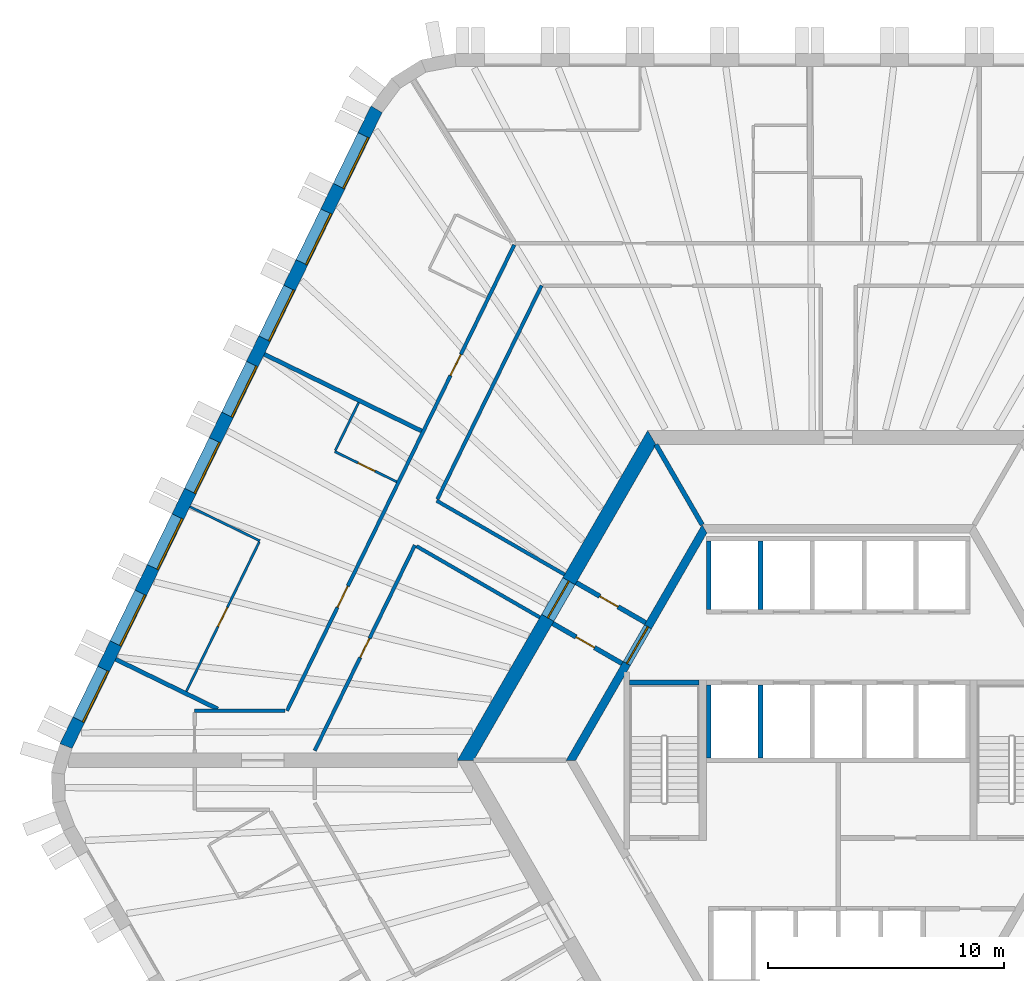
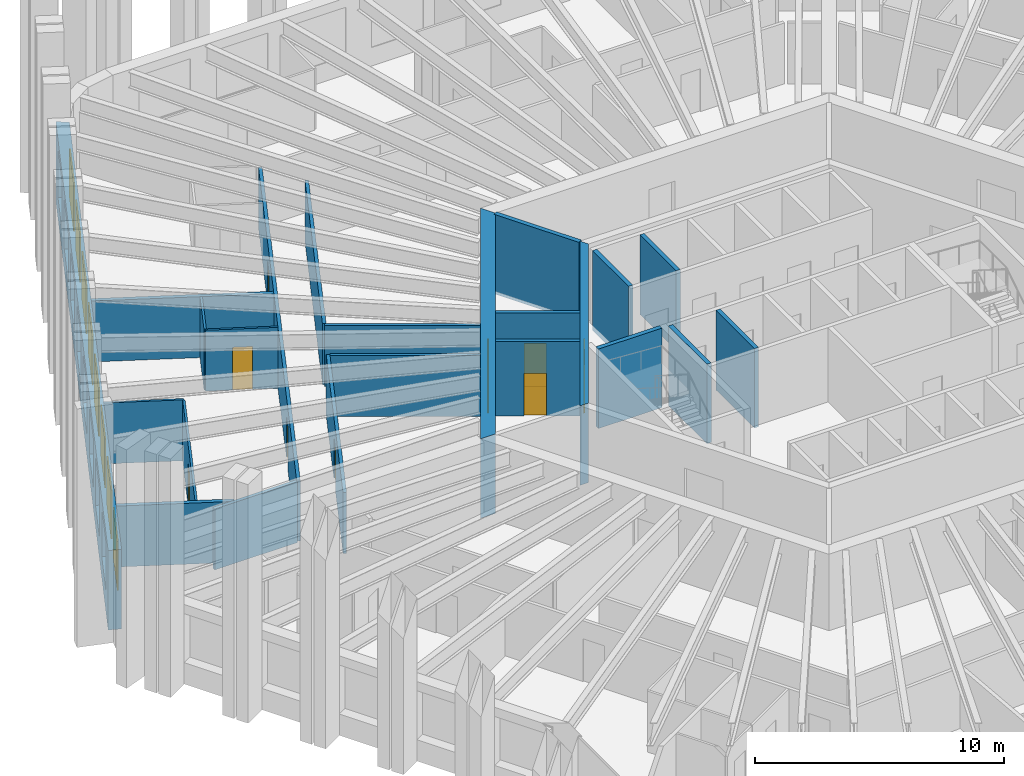
# One storey, part 7 of 13: 23 walls, 9 doors, 8 windows, 17 openings.
"""IFC4 building model written with IfcOpenShell, lengths in metres."""

from ifc_helpers import new_model, si_unit, direction, frame, frame_2d, origin, place, context, subcontext, project, spatial, polyline, rectangle, outline, extrude, material, layer, layer_set, type_object, element, fill, save


model = new_model("IFC4")

# Units and contexts
model_context = context("Model", 3, precision=1e-05, world=origin(), true_north=direction((0.0, 1.0)))
body_context = subcontext(model_context, "Body", "Model", "MODEL_VIEW")
ifc_project = project(units=[si_unit("LENGTHUNIT", "METRE"), si_unit("AREAUNIT", "SQUARE_METRE"), si_unit("VOLUMEUNIT", "CUBIC_METRE"), si_unit("PLANEANGLEUNIT", "RADIAN"), si_unit("MASSUNIT", "GRAM", prefix="KILO")], contexts=[model_context])

# Site, building, storey
site_placement = place(None, origin())
site = spatial("IfcSite", under=ifc_project, at=site_placement, CompositionType="ELEMENT")
building_placement = place(site_placement, origin())
building = spatial("IfcBuilding", under=site, at=building_placement, Name="Tarnside Tower", CompositionType="ELEMENT")
storey_placement = place(building_placement, frame((0.0, 0.0, 111.60009765625)))
storey = spatial("IfcBuildingStorey", under=building, at=storey_placement, Name="L25", CompositionType="ELEMENT", Elevation=111.60009765625)

# Wall, opening, door
ifc_material_1 = material(Name="Gypsum board partition on steel studs", Category="steel")
ifc_layer_1 = layer(ifc_material_1, 0.10009765625)
ifc_layer_set_1 = layer_set([ifc_layer_1], Name="Bathroom wall 100")
wall_type_1 = type_object("IfcWallType", Name="Bathroom wall 100", PredefinedType="PARTITIONING", material=ifc_layer_set_1)
wall_1_placement = place(storey_placement, frame((-18.739013671875, 11.822265625, 0.0), z_axis=(0.0, 0.0, 1.0), x_axis=(-0.898790906006, 0.438377585285, 0.0)))
wall_1 = element("IfcWall", 1, at=wall_1_placement, inside=storey, type_object=wall_type_1, Name="Bathroom wall 08094", PredefinedType="PARTITIONING", context=body_context, shape_type="SweptSolid", body=[
    extrude(rectangle(XDim=2.925048828125, YDim=0.10009765625, at=frame_2d((1.46240234375, 0.0))), origin(), (0.0, 0.0, 1.0), 2.98779296875),
])
opening_1_placement = place(wall_1_placement, frame((1.02490234375, 0.0, 0.0)))
opening_1 = element("IfcOpeningElement", 2, at=opening_1_placement, cuts=wall_1, Name="Opening D-B1", PredefinedType="OPENING", context=body_context, shape_type="SweptSolid", body=[
    extrude(rectangle(XDim=0.800048828125, YDim=2.10009765625, at=frame_2d((0.39990234375, 1.050048828125))), frame((0.0, 0.06005859375, 0.0), z_axis=(0.0, -1.0, 0.0), x_axis=(1.0, 0.0, 0.0)), (0.0, 0.0, 1.0), 0.1201171875),
])
ifc_material_2 = material(Name="Timber door leaf", Category="wood")
door_type_1 = type_object("IfcDoorType", Name="Bathroom door 800", OperationType="NOTDEFINED", PredefinedType="DOOR", material=ifc_material_2)
door_1_placement = place(opening_1_placement, origin())
door_1 = element("IfcDoor", 3, at=door_1_placement, inside=storey, type_object=door_type_1, Name="Bathroom door 08012", OperationType="SINGLE_SWING_RIGHT", OverallHeight=2.10009765625, OverallWidth=0.800048828125, PredefinedType="DOOR", context=body_context, shape_type="SweptSolid", body=[
    extrude(rectangle(XDim=0.800048828125, YDim=2.10009765625, at=frame_2d((0.39990234375, 1.050048828125))), frame((0.0, 0.02490234375, 0.0), z_axis=(0.0, -1.0, 0.0), x_axis=(1.0, 0.0, 0.0)), (0.0, 0.0, 1.0), 0.050048828125),
])
fill(opening_1, door_1)

# Wall
wall_2_placement = place(storey_placement, frame((-21.345947265625, 13.1494140625, 0.0), z_axis=(0.0, 0.0, 1.0), x_axis=(0.438376807268, 0.898791285477, 0.0)))
element("IfcWall", 4, at=wall_2_placement, inside=storey, type_object=wall_type_1, Name="Bathroom wall 08095", PredefinedType="PARTITIONING", context=body_context, shape_type="SweptSolid", body=[
    extrude(rectangle(XDim=2.260009765625, YDim=0.10009765625, at=frame_2d((1.1298828125, 0.0))), origin(), (0.0, 0.0, 1.0), 2.98779296875),
])

# Wall, opening, door
ifc_material_3 = material(Name="Concrete C50/60", Category="concrete")
ifc_layer_2 = layer(ifc_material_3, 0.35009765625)
ifc_layer_set_2 = layer_set([ifc_layer_2], Name="Core block wall 350 C50/60")
wall_type_2 = type_object("IfcWallType", Name="Core block wall 350 C50/60", PredefinedType="SHEAR", material=ifc_layer_set_2)
wall_3_placement = place(storey_placement, frame((-5.672607421875, 9.824951171875, -0.150146484375), z_axis=(0.0, 0.0, 1.0), x_axis=(-0.499995046907, -0.866028263435, 0.0)))
wall_3 = element("IfcWall", 5, at=wall_3_placement, inside=storey, type_object=wall_type_2, Name="L25 core block wall face 2", PredefinedType="SHEAR", context=body_context, shape_type="SweptSolid", body=[
    extrude(outline(polyline([(-0.10107421875, -0.175048828125), (11.44580078125, -0.175048828125), (11.24365234375, 0.175048828125), (0.10107421875, 0.175048828125), (-0.10107421875, -0.175048828125)])), origin(), (0.0, 0.0, 1.0), 3.900146484375),
])
opening_2_placement = place(wall_3_placement, frame((4.80126953125, 0.0, 0.14990234375)))
opening_2 = element("IfcOpeningElement", 6, at=opening_2_placement, cuts=wall_3, Name="Opening CD-LOB", PredefinedType="OPENING", context=body_context, shape_type="SweptSolid", body=[
    extrude(rectangle(XDim=1.800048828125, YDim=2.39990234375, at=frame_2d((0.89990234375, 1.199951171875))), frame((0.0, 0.18505859375, 0.0), z_axis=(0.0, -1.0, 0.0), x_axis=(1.0, 0.0, 0.0)), (0.0, 0.0, 1.0), 0.3701171875),
])
ifc_material_4 = material(Name="Steel fire door", Category="steel")
door_type_2 = type_object("IfcDoorType", Name="Lobby double door FD30S 1800x2400", OperationType="NOTDEFINED", PredefinedType="DOOR", material=ifc_material_4)
door_2_placement = place(opening_2_placement, origin())
door_2 = element("IfcDoor", 7, at=door_2_placement, inside=storey, type_object=door_type_2, Name="L25 lobby block door P1", OperationType="DOUBLE_DOOR_SINGLE_SWING", OverallHeight=2.39990234375, OverallWidth=1.800048828125, PredefinedType="DOOR", context=body_context, shape_type="SweptSolid", body=[
    extrude(rectangle(XDim=1.800048828125, YDim=2.39990234375, at=frame_2d((0.89990234375, 1.199951171875))), frame((0.0, 0.02490234375, 0.0), z_axis=(0.0, -1.0, 0.0), x_axis=(1.0, 0.0, 0.0)), (0.0, 0.0, 1.0), 0.050048828125),
])
fill(opening_2, door_2)

ifc_material_5 = material(Name="Concrete C40/50", Category="concrete")
ifc_layer_3 = layer(ifc_material_5, 0.199951171875)
ifc_layer_set_3 = layer_set([ifc_layer_3], Name="Core room partition 200 C40/50")
wall_type_3 = type_object("IfcWallType", Name="Core room partition 200 C40/50", PredefinedType="PARTITIONING", material=ifc_layer_set_3)
wall_4_placement = place(storey_placement, frame((-9.1748046875, 4.10888671875, 0.0), z_axis=(0.0, 0.0, 1.0), x_axis=(-0.865989465428, 0.500062241894, 0.0)))
wall_4 = element("IfcWall", 8, at=wall_4_placement, inside=storey, type_object=wall_type_3, Name="L25 core partition AC1L", PredefinedType="PARTITIONING", context=body_context, shape_type="SweptSolid", body=[
    extrude(rectangle(XDim=3.39990234375, YDim=0.199951171875, at=frame_2d((1.699951171875, 0.0))), origin(), (0.0, 0.0, 1.0), 3.64990234375),
])
opening_3_placement = place(wall_4_placement, frame((1.3505859375, 0.0, 0.0)))
opening_3 = element("IfcOpeningElement", 9, at=opening_3_placement, cuts=wall_4, Name="Opening CD-room", PredefinedType="OPENING", context=body_context, shape_type="SweptSolid", body=[
    extrude(rectangle(XDim=0.89990234375, YDim=2.10009765625, at=frame_2d((0.449951171875, 1.050048828125))), frame((0.0, 0.10986328125, 0.0), z_axis=(0.0, -1.0, 0.0), x_axis=(1.0, 0.0, 0.0)), (0.0, 0.0, 1.0), 0.219970703125),
])
door_type_3 = type_object("IfcDoorType", Name="Room door FD60 900x2100", OperationType="NOTDEFINED", PredefinedType="DOOR", material=ifc_material_4)
door_3_placement = place(opening_3_placement, origin())
door_3 = element("IfcDoor", 10, at=door_3_placement, inside=storey, type_object=door_type_3, Name="L25 core room door AX1L", OperationType="SINGLE_SWING_LEFT", OverallHeight=2.10009765625, OverallWidth=0.89990234375, PredefinedType="DOOR", context=body_context, shape_type="SweptSolid", body=[
    extrude(rectangle(XDim=0.89990234375, YDim=2.10009765625, at=frame_2d((0.449951171875, 1.050048828125))), frame((0.0, 0.02490234375, 0.0), z_axis=(0.0, -1.0, 0.0), x_axis=(1.0, 0.0, 0.0)), (0.0, 0.0, 1.0), 0.050048828125),
])
fill(opening_3, door_3)

wall_5_placement = place(storey_placement, frame((-8.1748046875, 5.841064453125, 0.0), z_axis=(0.0, 0.0, 1.0), x_axis=(-0.866020560687, 0.500008388397, 0.0)))
wall_5 = element("IfcWall", 11, at=wall_5_placement, inside=storey, type_object=wall_type_3, Name="L25 core partition AC1R", PredefinedType="PARTITIONING", context=body_context, shape_type="SweptSolid", body=[
    extrude(rectangle(XDim=3.39990234375, YDim=0.199951171875, at=frame_2d((1.699951171875, 0.0))), origin(), (0.0, 0.0, 1.0), 3.64990234375),
])
opening_4_placement = place(wall_5_placement, frame((1.349609375, 0.0, 0.0)))
opening_4 = element("IfcOpeningElement", 12, at=opening_4_placement, cuts=wall_5, Name="Opening CD-room", PredefinedType="OPENING", context=body_context, shape_type="SweptSolid", body=[
    extrude(rectangle(XDim=0.89990234375, YDim=2.10009765625, at=frame_2d((0.449951171875, 1.050048828125))), frame((0.0, 0.10986328125, 0.0), z_axis=(0.0, -1.0, 0.0), x_axis=(1.0, 0.0, 0.0)), (0.0, 0.0, 1.0), 0.219970703125),
])
door_4_placement = place(opening_4_placement, origin())
door_4 = element("IfcDoor", 13, at=door_4_placement, inside=storey, type_object=door_type_3, Name="L25 core room door AX1R", OperationType="SINGLE_SWING_LEFT", OverallHeight=2.10009765625, OverallWidth=0.89990234375, PredefinedType="DOOR", context=body_context, shape_type="SweptSolid", body=[
    extrude(rectangle(XDim=0.89990234375, YDim=2.10009765625, at=frame_2d((0.449951171875, 1.050048828125))), frame((0.0, 0.02490234375, 0.0), z_axis=(0.0, -1.0, 0.0), x_axis=(1.0, 0.0, 0.0)), (0.0, 0.0, 1.0), 0.050048828125),
])
fill(opening_4, door_4)

ifc_material_6 = material(Name="Concrete C80/95", Category="concrete")
ifc_layer_4 = layer(ifc_material_6, 0.60009765625)
ifc_layer_set_4 = layer_set([ifc_layer_4], Name="Core wall Z1 600 C80/95")
wall_type_4 = type_object("IfcWallType", Name="Core wall Z1 600 C80/95", PredefinedType="SHEAR", material=ifc_layer_set_4)
wall_6_placement = place(storey_placement, frame((-7.90966796875, 13.699951171875, -0.150146484375), z_axis=(0.0, 0.0, 1.0), x_axis=(-0.499999880136, -0.866025472988, 0.0)))
wall_6 = element("IfcWall", 14, at=wall_6_placement, inside=storey, type_object=wall_type_4, Name="L25 core wall face 2", PredefinedType="SHEAR", context=body_context, shape_type="SweptSolid", body=[
    extrude(outline(polyline([(-0.17333984375, -0.300048828125), (15.99267578125, -0.300048828125), (15.64599609375, 0.300048828125), (0.17333984375, 0.300048828125), (-0.17333984375, -0.300048828125)])), origin(), (0.0, 0.0, 1.0), 3.900146484375),
])
opening_5_placement = place(wall_6_placement, frame((7.03857421875, 0.0, 0.14990234375)))
opening_5 = element("IfcOpeningElement", 15, at=opening_5_placement, cuts=wall_6, Name="Opening CD-LOB", PredefinedType="OPENING", context=body_context, shape_type="SweptSolid", body=[
    extrude(rectangle(XDim=1.800048828125, YDim=2.39990234375, at=frame_2d((0.89990234375, 1.199951171875))), frame((0.0, 0.31005859375, 0.0), z_axis=(0.0, -1.0, 0.0), x_axis=(1.0, 0.0, 0.0)), (0.0, 0.0, 1.0), 0.6201171875),
])
door_5_placement = place(opening_5_placement, origin())
door_5 = element("IfcDoor", 16, at=door_5_placement, inside=storey, type_object=door_type_2, Name="L25 core door P1", OperationType="DOUBLE_DOOR_SINGLE_SWING", OverallHeight=2.39990234375, OverallWidth=1.800048828125, PredefinedType="DOOR", context=body_context, shape_type="SweptSolid", body=[
    extrude(rectangle(XDim=1.800048828125, YDim=2.39990234375, at=frame_2d((0.89990234375, 1.199951171875))), frame((0.0, 0.02490234375, 0.0), z_axis=(0.0, -1.0, 0.0), x_axis=(1.0, 0.0, 0.0)), (0.0, 0.0, 1.0), 0.050048828125),
])
fill(opening_5, door_5)

# Wall, openings, doors
ifc_layer_5 = layer(ifc_material_1, 0.14990234375)
ifc_layer_set_5 = layer_set([ifc_layer_5], Name="Corridor wall 150 EI 60")
wall_type_5 = type_object("IfcWallType", Name="Corridor wall 150 EI 60", PredefinedType="PARTITIONING", material=ifc_layer_set_5)
wall_7_placement = place(storey_placement, frame((-13.75244140625, 21.875, 0.0), z_axis=(0.0, 0.0, 1.0), x_axis=(-0.438376846054, -0.898791266559, 0.0)))
wall_7 = element("IfcWall", 17, at=wall_7_placement, inside=storey, type_object=wall_type_5, Name="Corridor wall 08009", PredefinedType="PARTITIONING", context=body_context, shape_type="SweptSolid", body=[
    extrude(rectangle(XDim=22.001708984375, YDim=0.14990234375, at=frame_2d((11.0009765625, 0.0))), origin(), (0.0, 0.0, 1.0), 2.98779296875),
])
opening_6_placement = place(wall_7_placement, frame((5.1689453125, 0.0, 0.0)))
opening_6 = element("IfcOpeningElement", 18, at=opening_6_placement, cuts=wall_7, Name="Opening D-E1", PredefinedType="OPENING", context=body_context, shape_type="SweptSolid", body=[
    extrude(rectangle(XDim=1.0, YDim=2.10009765625, at=frame_2d((0.5, 1.050048828125))), frame((0.0, 0.0849609375, 0.0), z_axis=(0.0, -1.0, 0.0), x_axis=(1.0, 0.0, 0.0)), (0.0, 0.0, 1.0), 0.169921875),
])
opening_7_placement = place(wall_7_placement, frame((16.111572265625, 0.0, 0.0)))
opening_7 = element("IfcOpeningElement", 19, at=opening_7_placement, cuts=wall_7, Name="Opening D-E1", PredefinedType="OPENING", context=body_context, shape_type="SweptSolid", body=[
    extrude(rectangle(XDim=1.0, YDim=2.10009765625, at=frame_2d((0.5, 1.050048828125))), frame((0.0, 0.0849609375, 0.0), z_axis=(0.0, -1.0, 0.0), x_axis=(1.0, 0.0, 0.0)), (0.0, 0.0, 1.0), 0.169921875),
])
door_type_4 = type_object("IfcDoorType", Name="Unit entrance door 1000 FD30S", OperationType="NOTDEFINED", PredefinedType="DOOR", material=ifc_material_2)
door_6_placement = place(opening_6_placement, origin())
door_6 = element("IfcDoor", 20, at=door_6_placement, inside=storey, type_object=door_type_4, Name="Unit door 08009", OperationType="SINGLE_SWING_LEFT", OverallHeight=2.10009765625, OverallWidth=1.0, PredefinedType="DOOR", context=body_context, shape_type="SweptSolid", body=[
    extrude(rectangle(XDim=1.0, YDim=2.10009765625, at=frame_2d((0.5, 1.050048828125))), frame((0.0, 0.02490234375, 0.0), z_axis=(0.0, -1.0, 0.0), x_axis=(1.0, 0.0, 0.0)), (0.0, 0.0, 1.0), 0.050048828125),
])
fill(opening_6, door_6)
door_7_placement = place(opening_7_placement, origin())
door_7 = element("IfcDoor", 21, at=door_7_placement, inside=storey, type_object=door_type_4, Name="Unit door 08011", OperationType="SINGLE_SWING_LEFT", OverallHeight=2.10009765625, OverallWidth=1.0, PredefinedType="DOOR", context=body_context, shape_type="SweptSolid", body=[
    extrude(rectangle(XDim=1.0, YDim=2.10009765625, at=frame_2d((0.5, 1.050048828125))), frame((0.0, 0.02490234375, 0.0), z_axis=(0.0, -1.0, 0.0), x_axis=(1.0, 0.0, 0.0)), (0.0, 0.0, 1.0), 0.050048828125),
])
fill(opening_7, door_7)

# Walls
wall_8_placement = place(storey_placement, frame((-23.480712890625, 2.10009765625, 0.0), z_axis=(0.0, 0.0, 1.0), x_axis=(-1.0, 0.0, 0.0)))
element("IfcWall", 22, at=wall_8_placement, inside=storey, type_object=wall_type_5, Name="Corridor wall 08012", PredefinedType="PARTITIONING", context=body_context, shape_type="SweptSolid", body=[
    extrude(rectangle(XDim=3.839599609375, YDim=0.14990234375, at=frame_2d((1.919921875, 0.0))), origin(), (0.0, 0.0, 1.0), 2.98779296875),
])
wall_9_placement = place(storey_placement, frame((-11.61376953125, 7.88427734375, 0.0), z_axis=(0.0, 0.0, 1.0), x_axis=(-0.866025438137, 0.4999999405, 0.0)))
element("IfcWall", 23, at=wall_9_placement, inside=storey, type_object=wall_type_5, Name="Corridor wall 08016", PredefinedType="PARTITIONING", context=body_context, shape_type="SweptSolid", body=[
    extrude(rectangle(XDim=6.2705078125, YDim=0.14990234375, at=frame_2d((3.13525390625, 0.0))), origin(), (0.0, 0.0, 1.0), 2.98779296875),
])
wall_10_placement = place(storey_placement, frame((-17.01123046875, 11.087158203125, 0.0), z_axis=(0.0, 0.0, 1.0), x_axis=(0.43836877185, 0.898795204631, 0.0)))
element("IfcWall", 24, at=wall_10_placement, inside=storey, type_object=wall_type_5, Name="Corridor wall 08017", PredefinedType="PARTITIONING", context=body_context, shape_type="SweptSolid", body=[
    extrude(rectangle(XDim=10.083251953125, YDim=0.14990234375, at=frame_2d((5.04150390625, 0.0))), origin(), (0.0, 0.0, 1.0), 2.98779296875),
])

# Wall, opening, door
wall_11_placement = place(storey_placement, frame((-22.218994140625, 0.41015625, 0.0), z_axis=(0.0, 0.0, 1.0), x_axis=(0.438391891827, 0.898783927972, 0.0)))
wall_11 = element("IfcWall", 25, at=wall_11_placement, inside=storey, type_object=wall_type_5, Name="Corridor wall 08023", PredefinedType="PARTITIONING", context=body_context, shape_type="SweptSolid", body=[
    extrude(rectangle(XDim=9.698974609375, YDim=0.14990234375, at=frame_2d((4.849609375, 0.0))), origin(), (0.0, 0.0, 1.0), 2.98779296875),
])
opening_8_placement = place(wall_11_placement, frame((4.399658203125, 0.0, 0.0)))
opening_8 = element("IfcOpeningElement", 26, at=opening_8_placement, cuts=wall_11, Name="Opening D-S1", PredefinedType="OPENING", context=body_context, shape_type="SweptSolid", body=[
    extrude(rectangle(XDim=0.89990234375, YDim=2.10009765625, at=frame_2d((0.449951171875, 1.050048828125))), frame((0.0, 0.0849609375, 0.0), z_axis=(0.0, -1.0, 0.0), x_axis=(1.0, 0.0, 0.0)), (0.0, 0.0, 1.0), 0.169921875),
])
door_type_5 = type_object("IfcDoorType", Name="Service room door 900 FD30S", OperationType="NOTDEFINED", PredefinedType="DOOR", material=ifc_material_2)
door_8_placement = place(opening_8_placement, origin())
door_8 = element("IfcDoor", 27, at=door_8_placement, inside=storey, type_object=door_type_5, Name="Service door 08042", OperationType="SINGLE_SWING_LEFT", OverallHeight=2.10009765625, OverallWidth=0.89990234375, PredefinedType="DOOR", context=body_context, shape_type="SweptSolid", body=[
    extrude(rectangle(XDim=0.89990234375, YDim=2.10009765625, at=frame_2d((0.449951171875, 1.050048828125))), frame((0.0, 0.02490234375, 0.0), z_axis=(0.0, -1.0, 0.0), x_axis=(1.0, 0.0, 0.0)), (0.0, 0.0, 1.0), 0.050048828125),
])
fill(opening_8, door_8)

# Walls
wall_12_placement = place(storey_placement, frame((-17.902099609375, 9.08984375, 0.0), z_axis=(0.0, 0.0, 1.0), x_axis=(0.866036368755, -0.499981007633, 0.0)))
element("IfcWall", 28, at=wall_12_placement, inside=storey, type_object=wall_type_5, Name="Corridor wall 08024", PredefinedType="PARTITIONING", context=body_context, shape_type="SweptSolid", body=[
    extrude(rectangle(XDim=6.048583984375, YDim=0.14990234375, at=frame_2d((3.0244140625, 0.0))), origin(), (0.0, 0.0, 1.0), 2.98779296875),
])
ifc_layer_6 = layer(ifc_material_1, 0.179931640625)
ifc_layer_set_6 = layer_set([ifc_layer_6], Name="Demising wall 180 EI 60")
wall_type_6 = type_object("IfcWallType", Name="Demising wall 180 EI 60", PredefinedType="PARTITIONING", material=ifc_layer_set_6)
wall_13_placement = place(storey_placement, frame((-24.3603515625, 17.234130859375, 0.0), z_axis=(0.0, 0.0, 1.0), x_axis=(0.898796252669, -0.438366623032, 0.0)))
element("IfcWall", 29, at=wall_13_placement, inside=storey, type_object=wall_type_6, Name="Demising wall 08092", PredefinedType="PARTITIONING", context=body_context, shape_type="SweptSolid", body=[
    extrude(rectangle(XDim=7.425048828125, YDim=0.179931640625, at=frame_2d((3.71240234375, 0.0))), origin(), (0.0, 0.0, 1.0), 2.98779296875),
])
wall_14_placement = place(storey_placement, frame((-30.673095703125, 4.29150390625, 0.0), z_axis=(0.0, 0.0, 1.0), x_axis=(0.898812662672, -0.438332975512, 0.0)))
element("IfcWall", 30, at=wall_14_placement, inside=storey, type_object=wall_type_6, Name="Demising wall 08098", PredefinedType="PARTITIONING", context=body_context, shape_type="SweptSolid", body=[
    extrude(rectangle(XDim=4.828369140625, YDim=0.179931640625, at=frame_2d((2.4140625, 0.0))), origin(), (0.0, 0.0, 1.0), 2.98779296875),
])
ifc_layer_7 = layer(ifc_material_5, 0.199951171875)
ifc_layer_set_7 = layer_set([ifc_layer_7], Name="Lift shaft wall 200 C40/50")
wall_type_7 = type_object("IfcWallType", Name="Lift shaft wall 200 C40/50", PredefinedType="SHEAR", material=ifc_layer_set_7)
for number, where, z_axis, x_axis, name in (
    (31, (-5.5, 6.39990234375, -0.25), (0.0, 0.0, 1.0), (0.0, 1.0, 0.0), "L25 lift shaft partition R11"),
    (32, (-3.300048828125, 6.39990234375, -0.25), (0.0, 0.0, 1.0), (0.0, 1.0, 0.0), "L25 lift shaft partition R12"),
):
    element("IfcWall", number, at=place(storey_placement, frame(where, z_axis=z_axis, x_axis=x_axis)), inside=storey, type_object=wall_type_7, Name=name, PredefinedType="SHEAR", context=body_context, shape_type="SweptSolid", body=[
        extrude(rectangle(XDim=2.900146484375, YDim=0.199951171875, at=frame_2d((1.4501953125, 0.0))), origin(), (0.0, 0.0, 1.0), 3.89990234375),
    ])
for number, where, z_axis, x_axis, name in (
    (33, (-5.5, 0.10009765625, -0.25), (0.0, 0.0, 1.0), (0.0, 1.0, 0.0), "L25 lift shaft partition R21"),
    (34, (-3.300048828125, 0.10009765625, -0.25), (0.0, 0.0, 1.0), (0.0, 1.0, 0.0), "L25 lift shaft partition R22"),
):
    element("IfcWall", number, at=place(storey_placement, frame(where, z_axis=z_axis, x_axis=x_axis)), inside=storey, type_object=wall_type_7, Name=name, PredefinedType="SHEAR", context=body_context, shape_type="SweptSolid", body=[
        extrude(rectangle(XDim=3.099853515625, YDim=0.199951171875, at=frame_2d((1.5498046875, 0.0))), origin(), (0.0, 0.0, 1.0), 3.89990234375),
    ])
wall_15_placement = place(storey_placement, frame((-5.7734375, 10.0, -0.150146484375), z_axis=(0.0, 0.0, 1.0), x_axis=(-0.500038251005, 0.86600331843, 0.0)))
element("IfcWall", 35, at=wall_15_placement, inside=storey, type_object=wall_type_7, Name="L25 core partition AR120", PredefinedType="SHEAR", context=body_context, shape_type="SweptSolid", body=[
    extrude(rectangle(XDim=3.926025390625, YDim=0.199951171875, at=frame_2d((1.962890625, 0.0))), origin(), (0.0, 0.0, 1.0), 3.900146484375),
])
wall_16_placement = place(storey_placement, frame((-8.85009765625, 3.300048828125, -0.25), z_axis=(0.0, 0.0, 1.0), x_axis=(1.0, 0.0, 0.0)))
element("IfcWall", 36, at=wall_16_placement, inside=storey, type_object=wall_type_7, Name="L25 stair 2 enclosure cap wall n", PredefinedType="SHEAR", context=body_context, shape_type="SweptSolid", body=[
    extrude(rectangle(XDim=2.9501953125, YDim=0.199951171875, at=frame_2d((1.47509765625, 0.0))), origin(), (0.0, 0.0, 1.0), 3.89990234375),
])
ifc_layer_8 = layer(ifc_material_1, 0.10009765625)
ifc_layer_set_8 = layer_set([ifc_layer_8], Name="Partition 100")
wall_type_8 = type_object("IfcWallType", Name="Partition 100", PredefinedType="PARTITIONING", material=ifc_layer_set_8)
wall_17_placement = place(storey_placement, frame((-27.5166015625, 10.762939453125, 0.0), z_axis=(0.0, 0.0, 1.0), x_axis=(0.898764179314, -0.43843237789, 0.0)))
element("IfcWall", 37, at=wall_17_placement, inside=storey, type_object=wall_type_8, Name="Partition wall 08096", PredefinedType="PARTITIONING", context=body_context, shape_type="SweptSolid", body=[
    extrude(rectangle(XDim=3.2998046875, YDim=0.10009765625, at=frame_2d((1.64990234375, 0.0))), origin(), (0.0, 0.0, 1.0), 2.98779296875),
])

# Wall, opening, door
wall_18_placement = place(storey_placement, frame((-24.572509765625, 9.271240234375, 0.0), z_axis=(0.0, 0.0, 1.0), x_axis=(-0.438380708798, -0.898789382533, 0.0)))
wall_18 = element("IfcWall", 38, at=wall_18_placement, inside=storey, type_object=wall_type_8, Name="Partition wall 08097", PredefinedType="PARTITIONING", context=body_context, shape_type="SweptSolid", body=[
    extrude(rectangle(XDim=7.06005859375, YDim=0.10009765625, at=frame_2d((3.530029296875, 0.0))), origin(), (0.0, 0.0, 1.0), 2.98779296875),
])
opening_9_placement = place(wall_18_placement, frame((3.10009765625, 0.0, 0.0)))
opening_9 = element("IfcOpeningElement", 39, at=opening_9_placement, cuts=wall_18, Name="Opening D-I1", PredefinedType="OPENING", context=body_context, shape_type="SweptSolid", body=[
    extrude(rectangle(XDim=0.89990234375, YDim=2.10009765625, at=frame_2d((0.449951171875, 1.050048828125))), frame((0.0, 0.06005859375, 0.0), z_axis=(0.0, -1.0, 0.0), x_axis=(1.0, 0.0, 0.0)), (0.0, 0.0, 1.0), 0.1201171875),
])
door_type_6 = type_object("IfcDoorType", Name="Internal door 900", OperationType="NOTDEFINED", PredefinedType="DOOR", material=ifc_material_2)
door_9_placement = place(opening_9_placement, origin())
door_9 = element("IfcDoor", 40, at=door_9_placement, inside=storey, type_object=door_type_6, Name="Internal door 08013", OperationType="SINGLE_SWING_RIGHT", OverallHeight=2.10009765625, OverallWidth=0.89990234375, PredefinedType="DOOR", context=body_context, shape_type="SweptSolid", body=[
    extrude(rectangle(XDim=0.89990234375, YDim=2.10009765625, at=frame_2d((0.449951171875, 1.050048828125))), frame((0.0, 0.02490234375, 0.0), z_axis=(0.0, -1.0, 0.0), x_axis=(1.0, 0.0, 0.0)), (0.0, 0.0, 1.0), 0.050048828125),
])
fill(opening_9, door_9)

# Wall, openings, windows
ifc_material_7 = material(Name="Facing brick", Category="masonry")
ifc_layer_9 = layer(ifc_material_7, 0.10205078125)
ifc_material_8 = material(Name="Concrete C60/75 precast", Category="concrete")
ifc_layer_10 = layer(ifc_material_8, 0.347900390625)
ifc_material_9 = material(Name="Mineral wool insulation")
ifc_layer_11 = layer(ifc_material_9, 0.10009765625)
ifc_layer_set_9 = layer_set([ifc_layer_9, ifc_layer_10, ifc_layer_11], Name="Tube wall 550 brick faced")
wall_type_9 = type_object("IfcWallType", Name="Tube wall 550 brick faced", PredefinedType="SOLIDWALL", material=ifc_layer_set_9)
wall_19_placement = place(storey_placement, frame((-19.5947265625, 27.6328125, -0.150146484375), z_axis=(0.0, 0.0, 1.0), x_axis=(-0.438368285794, -0.898795441694, 0.0)))
wall_19 = element("IfcWall", 41, at=wall_19_placement, inside=storey, type_object=wall_type_9, Name="Tube wall L25 F2 flush 04", PredefinedType="SOLIDWALL", context=body_context, shape_type="SweptSolid", body=[
    extrude(outline(polyline([(-0.025634765625, -0.27490234375), (30.09326171875, -0.27490234375), (30.04833984375, 0.27490234375), (0.025634765625, 0.27490234375), (-0.025634765625, -0.27490234375)])), origin(), (0.0, 0.0, 1.0), 3.900146484375),
])
opening_10_placement = place(wall_19_placement, frame((1.235595703125, 0.0, 1.050048828125)))
opening_10 = element("IfcOpeningElement", 42, at=opening_10_placement, cuts=wall_19, Name="Opening WH", PredefinedType="OPENING", context=body_context, shape_type="SweptSolid", body=[
    extrude(rectangle(XDim=2.39990234375, YDim=2.39990234375, at=frame_2d((1.199951171875, 1.199951171875))), frame((0.0, 0.28515625, 0.0), z_axis=(0.0, -1.0, 0.0), x_axis=(1.0, 0.0, 0.0)), (0.0, 0.0, 1.0), 0.570068359375),
])
opening_11_placement = place(wall_19_placement, frame((4.83544921875, 0.0, 1.050048828125)))
opening_11 = element("IfcOpeningElement", 43, at=opening_11_placement, cuts=wall_19, Name="Opening WH", PredefinedType="OPENING", context=body_context, shape_type="SweptSolid", body=[
    extrude(rectangle(XDim=2.39990234375, YDim=2.39990234375, at=frame_2d((1.199951171875, 1.199951171875))), frame((0.0, 0.28515625, 0.0), z_axis=(0.0, -1.0, 0.0), x_axis=(1.0, 0.0, 0.0)), (0.0, 0.0, 1.0), 0.570068359375),
])
opening_12_placement = place(wall_19_placement, frame((8.435546875, 0.0, 1.050048828125)))
opening_12 = element("IfcOpeningElement", 44, at=opening_12_placement, cuts=wall_19, Name="Opening WH", PredefinedType="OPENING", context=body_context, shape_type="SweptSolid", body=[
    extrude(rectangle(XDim=2.39990234375, YDim=2.39990234375, at=frame_2d((1.199951171875, 1.199951171875))), frame((0.0, 0.28515625, 0.0), z_axis=(0.0, -1.0, 0.0), x_axis=(1.0, 0.0, 0.0)), (0.0, 0.0, 1.0), 0.570068359375),
])
opening_13_placement = place(wall_19_placement, frame((12.035400390625, 0.0, 1.050048828125)))
opening_13 = element("IfcOpeningElement", 45, at=opening_13_placement, cuts=wall_19, Name="Opening WH", PredefinedType="OPENING", context=body_context, shape_type="SweptSolid", body=[
    extrude(rectangle(XDim=2.39990234375, YDim=2.39990234375, at=frame_2d((1.199951171875, 1.199951171875))), frame((0.0, 0.28515625, 0.0), z_axis=(0.0, -1.0, 0.0), x_axis=(1.0, 0.0, 0.0)), (0.0, 0.0, 1.0), 0.570068359375),
])
opening_14_placement = place(wall_19_placement, frame((15.635498046875, 0.0, 1.050048828125)))
opening_14 = element("IfcOpeningElement", 46, at=opening_14_placement, cuts=wall_19, Name="Opening WH", PredefinedType="OPENING", context=body_context, shape_type="SweptSolid", body=[
    extrude(rectangle(XDim=2.39990234375, YDim=2.39990234375, at=frame_2d((1.199951171875, 1.199951171875))), frame((0.0, 0.28515625, 0.0), z_axis=(0.0, -1.0, 0.0), x_axis=(1.0, 0.0, 0.0)), (0.0, 0.0, 1.0), 0.570068359375),
])
opening_15_placement = place(wall_19_placement, frame((19.235595703125, 0.0, 1.050048828125)))
opening_15 = element("IfcOpeningElement", 47, at=opening_15_placement, cuts=wall_19, Name="Opening WH", PredefinedType="OPENING", context=body_context, shape_type="SweptSolid", body=[
    extrude(rectangle(XDim=2.39990234375, YDim=2.39990234375, at=frame_2d((1.199951171875, 1.199951171875))), frame((0.0, 0.28515625, 0.0), z_axis=(0.0, -1.0, 0.0), x_axis=(1.0, 0.0, 0.0)), (0.0, 0.0, 1.0), 0.570068359375),
])
opening_16_placement = place(wall_19_placement, frame((22.83544921875, 0.0, 1.050048828125)))
opening_16 = element("IfcOpeningElement", 48, at=opening_16_placement, cuts=wall_19, Name="Opening WH", PredefinedType="OPENING", context=body_context, shape_type="SweptSolid", body=[
    extrude(rectangle(XDim=2.39990234375, YDim=2.39990234375, at=frame_2d((1.199951171875, 1.199951171875))), frame((0.0, 0.28515625, 0.0), z_axis=(0.0, -1.0, 0.0), x_axis=(1.0, 0.0, 0.0)), (0.0, 0.0, 1.0), 0.570068359375),
])
opening_17_placement = place(wall_19_placement, frame((26.435546875, 0.0, 1.050048828125)))
opening_17 = element("IfcOpeningElement", 49, at=opening_17_placement, cuts=wall_19, Name="Opening WH", PredefinedType="OPENING", context=body_context, shape_type="SweptSolid", body=[
    extrude(rectangle(XDim=2.39990234375, YDim=2.39990234375, at=frame_2d((1.199951171875, 1.199951171875))), frame((0.0, 0.28515625, 0.0), z_axis=(0.0, -1.0, 0.0), x_axis=(1.0, 0.0, 0.0)), (0.0, 0.0, 1.0), 0.570068359375),
])
ifc_material_10 = material(Name="Aluminium-framed double glazing", Category="aluminium")
window_type = type_object("IfcWindowType", Name="Hotel window 2400 x 2400", PartitioningType="DOUBLE_PANEL_VERTICAL", PredefinedType="WINDOW", material=ifc_material_10)
window_1_placement = place(opening_10_placement, frame((0.0, 0.205078125, 0.0)))
window_1 = element("IfcWindow", 50, at=window_1_placement, inside=storey, type_object=window_type, Name="E.WN.L25.F2.00", OverallHeight=2.39990234375, OverallWidth=2.39990234375, PartitioningType="DOUBLE_PANEL_VERTICAL", PredefinedType="WINDOW", context=body_context, shape_type="SweptSolid", body=[
    extrude(rectangle(XDim=2.39990234375, YDim=2.39990234375, at=frame_2d((1.199951171875, 1.199951171875))), frame((0.0, 0.030029296875, 0.0), z_axis=(0.0, -1.0, 0.0), x_axis=(1.0, 0.0, 0.0)), (0.0, 0.0, 1.0), 0.06005859375),
])
fill(opening_10, window_1)
window_2_placement = place(opening_11_placement, frame((0.0, 0.205078125, 0.0)))
window_2 = element("IfcWindow", 51, at=window_2_placement, inside=storey, type_object=window_type, Name="E.WN.L25.F2.01", OverallHeight=2.39990234375, OverallWidth=2.39990234375, PartitioningType="DOUBLE_PANEL_VERTICAL", PredefinedType="WINDOW", context=body_context, shape_type="SweptSolid", body=[
    extrude(rectangle(XDim=2.39990234375, YDim=2.39990234375, at=frame_2d((1.199951171875, 1.199951171875))), frame((0.0, 0.030029296875, 0.0), z_axis=(0.0, -1.0, 0.0), x_axis=(1.0, 0.0, 0.0)), (0.0, 0.0, 1.0), 0.06005859375),
])
fill(opening_11, window_2)
window_3_placement = place(opening_12_placement, frame((0.0, 0.205078125, 0.0)))
window_3 = element("IfcWindow", 52, at=window_3_placement, inside=storey, type_object=window_type, Name="E.WN.L25.F2.02", OverallHeight=2.39990234375, OverallWidth=2.39990234375, PartitioningType="DOUBLE_PANEL_VERTICAL", PredefinedType="WINDOW", context=body_context, shape_type="SweptSolid", body=[
    extrude(rectangle(XDim=2.39990234375, YDim=2.39990234375, at=frame_2d((1.199951171875, 1.199951171875))), frame((0.0, 0.030029296875, 0.0), z_axis=(0.0, -1.0, 0.0), x_axis=(1.0, 0.0, 0.0)), (0.0, 0.0, 1.0), 0.06005859375),
])
fill(opening_12, window_3)
window_4_placement = place(opening_13_placement, frame((0.0, 0.205078125, 0.0)))
window_4 = element("IfcWindow", 53, at=window_4_placement, inside=storey, type_object=window_type, Name="E.WN.L25.F2.03", OverallHeight=2.39990234375, OverallWidth=2.39990234375, PartitioningType="DOUBLE_PANEL_VERTICAL", PredefinedType="WINDOW", context=body_context, shape_type="SweptSolid", body=[
    extrude(rectangle(XDim=2.39990234375, YDim=2.39990234375, at=frame_2d((1.199951171875, 1.199951171875))), frame((0.0, 0.030029296875, 0.0), z_axis=(0.0, -1.0, 0.0), x_axis=(1.0, 0.0, 0.0)), (0.0, 0.0, 1.0), 0.06005859375),
])
fill(opening_13, window_4)
window_5_placement = place(opening_14_placement, frame((0.0, 0.205078125, 0.0)))
window_5 = element("IfcWindow", 54, at=window_5_placement, inside=storey, type_object=window_type, Name="E.WN.L25.F2.04", OverallHeight=2.39990234375, OverallWidth=2.39990234375, PartitioningType="DOUBLE_PANEL_VERTICAL", PredefinedType="WINDOW", context=body_context, shape_type="SweptSolid", body=[
    extrude(rectangle(XDim=2.39990234375, YDim=2.39990234375, at=frame_2d((1.199951171875, 1.199951171875))), frame((0.0, 0.030029296875, 0.0), z_axis=(0.0, -1.0, 0.0), x_axis=(1.0, 0.0, 0.0)), (0.0, 0.0, 1.0), 0.06005859375),
])
fill(opening_14, window_5)
window_6_placement = place(opening_15_placement, frame((0.0, 0.205078125, 0.0)))
window_6 = element("IfcWindow", 55, at=window_6_placement, inside=storey, type_object=window_type, Name="E.WN.L25.F2.05", OverallHeight=2.39990234375, OverallWidth=2.39990234375, PartitioningType="DOUBLE_PANEL_VERTICAL", PredefinedType="WINDOW", context=body_context, shape_type="SweptSolid", body=[
    extrude(rectangle(XDim=2.39990234375, YDim=2.39990234375, at=frame_2d((1.199951171875, 1.199951171875))), frame((0.0, 0.030029296875, 0.0), z_axis=(0.0, -1.0, 0.0), x_axis=(1.0, 0.0, 0.0)), (0.0, 0.0, 1.0), 0.06005859375),
])
fill(opening_15, window_6)
window_7_placement = place(opening_16_placement, frame((0.0, 0.205078125, 0.0)))
window_7 = element("IfcWindow", 56, at=window_7_placement, inside=storey, type_object=window_type, Name="E.WN.L25.F2.06", OverallHeight=2.39990234375, OverallWidth=2.39990234375, PartitioningType="DOUBLE_PANEL_VERTICAL", PredefinedType="WINDOW", context=body_context, shape_type="SweptSolid", body=[
    extrude(rectangle(XDim=2.39990234375, YDim=2.39990234375, at=frame_2d((1.199951171875, 1.199951171875))), frame((0.0, 0.030029296875, 0.0), z_axis=(0.0, -1.0, 0.0), x_axis=(1.0, 0.0, 0.0)), (0.0, 0.0, 1.0), 0.06005859375),
])
fill(opening_16, window_7)
window_8_placement = place(opening_17_placement, frame((0.0, 0.205078125, 0.0)))
window_8 = element("IfcWindow", 57, at=window_8_placement, inside=storey, type_object=window_type, Name="E.WN.L25.F2.07", OverallHeight=2.39990234375, OverallWidth=2.39990234375, PartitioningType="DOUBLE_PANEL_VERTICAL", PredefinedType="WINDOW", context=body_context, shape_type="SweptSolid", body=[
    extrude(rectangle(XDim=2.39990234375, YDim=2.39990234375, at=frame_2d((1.199951171875, 1.199951171875))), frame((0.0, 0.030029296875, 0.0), z_axis=(0.0, -1.0, 0.0), x_axis=(1.0, 0.0, 0.0)), (0.0, 0.0, 1.0), 0.06005859375),
])
fill(opening_17, window_8)

save(model, "model.ifc")
